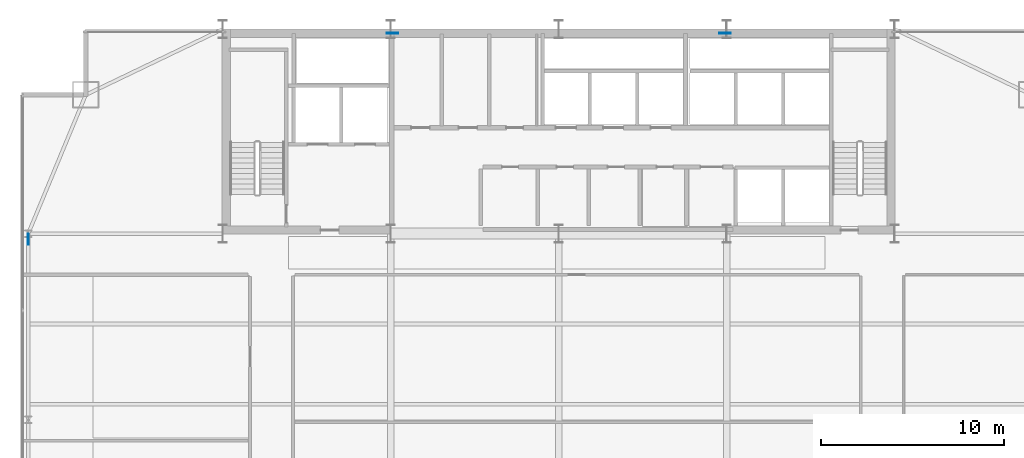
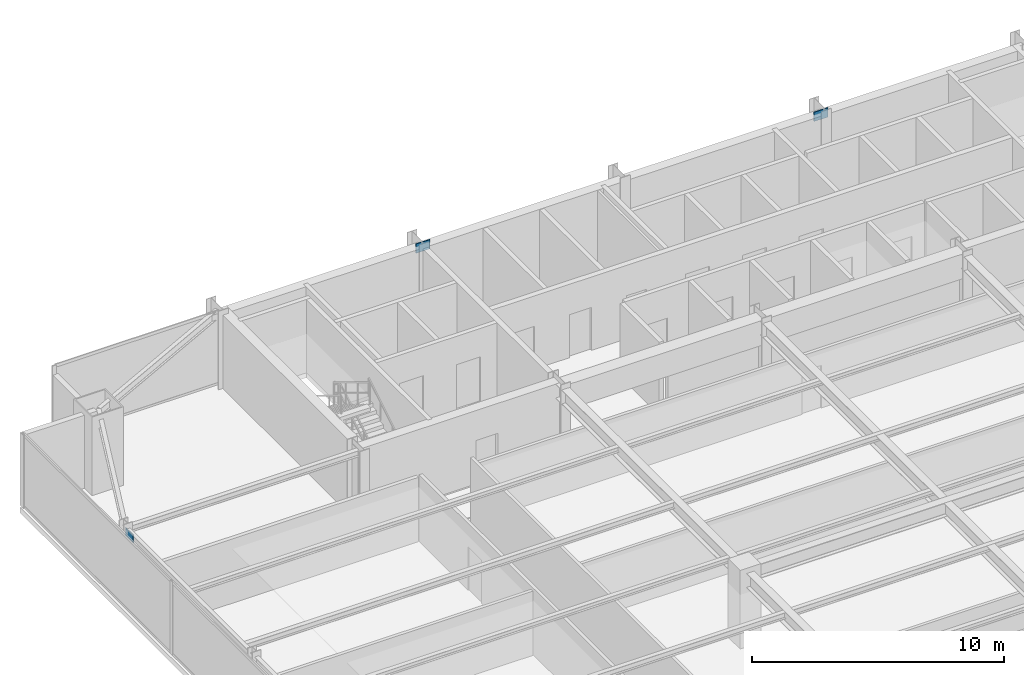
# One storey, part 30 of 36: 3 plates.
"""IFC4 building model written with IfcOpenShell, lengths in metres."""

from ifc_helpers import new_model, si_unit, direction, frame, origin, origin_2d, place, context, subcontext, project, spatial, rectangle, extrude, source, transform, mapped, material, layer, layer_set, type_object, type_shapes, element, save


model = new_model("IFC4")

# Units and contexts
model_context = context("Model", 3, precision=1e-05, world=origin(), true_north=direction((0.0, 1.0)))
body_context = subcontext(model_context, "Body", "Model", "MODEL_VIEW")
ifc_project = project(units=[si_unit("LENGTHUNIT", "METRE"), si_unit("AREAUNIT", "SQUARE_METRE"), si_unit("VOLUMEUNIT", "CUBIC_METRE"), si_unit("PLANEANGLEUNIT", "RADIAN"), si_unit("MASSUNIT", "GRAM", prefix="KILO")], contexts=[model_context])

# Site, building, storey
site_placement = place(None, origin())
site = spatial("IfcSite", under=ifc_project, at=site_placement, CompositionType="ELEMENT")
building_placement = place(site_placement, origin())
building = spatial("IfcBuilding", under=site, at=building_placement, Name="Varnel Quay Broadcast Tower", CompositionType="ELEMENT")
storey_placement = place(building_placement, frame((0.0, 0.0, 114.39990234375)))
storey = spatial("IfcBuildingStorey", under=building, at=storey_placement, Name="L27", CompositionType="ELEMENT", Elevation=114.39990234375)

# Plates
ifc_material = material(Name="Structural Steel CSA G40.21 350WT", Category="steel")
ifc_layer_1 = layer(ifc_material, 0.0400390625, Name="Structural Steel CSA G40.21 350WT")
ifc_layer_set_1 = layer_set([ifc_layer_1], Name="Structural Steel CSA G40.21 350WT")
plate_type_1 = type_object("IfcPlateType", Name="Plate_EmbedPlate", PredefinedType="USERDEFINED", material=ifc_layer_set_1)
shared_shape_1 = source(origin(), body_context, "Body", "SweptSolid", [
    extrude(rectangle(XDim=0.639892578125, YDim=0.0400390625, at=origin_2d()), origin(), (0.0, 0.0, 1.0), 0.449951171875),
])
type_shapes(plate_type_1, [shared_shape_1])
for number, where, z_axis, x_axis, name in (
    (1, (43.106689453125, 46.580078125, 3.2294921875), (0.0, 0.0, 1.0), (1.0, 0.0, 0.0), "Zone 2 Mega-Brace N-CT2 Diag A Wall Cast-In Embed Plate P1"),
    (2, (24.893310546875, 46.580078125, 3.2294921875), (0.0, 0.0, 1.0), (1.0, 0.0, 0.0), "Zone 2 Mega-Brace N-CT2 Diag B2 Wall Cast-In Embed Plate P1"),
):
    element("IfcPlate", number, at=place(storey_placement, frame(where, z_axis=z_axis, x_axis=x_axis)), inside=storey, type_object=plate_type_1, Name=name, ObjectType="EMBED_PLATE", PredefinedType="USERDEFINED", context=body_context, shape_type="MappedRepresentation", body=[
        mapped(shared_shape_1, transform((0.0, 0.0, 0.0), x_axis=(1.0, 0.0, 0.0), y_axis=(0.0, 1.0, 0.0), z_axis=(0.0, 0.0, 1.0), scale=1.0)),
    ])
ifc_layer_2 = layer(ifc_material, 0.031982421875, Name="Structural Steel CSA G40.21 350WT")
ifc_layer_set_2 = layer_set([ifc_layer_2], Name="Structural Steel CSA G40.21 350WT")
plate_type_2 = type_object("IfcPlateType", Name="Plate_EndCap", PredefinedType="USERDEFINED", material=ifc_layer_set_2)
shared_shape_2 = source(origin(), body_context, "Body", "SweptSolid", [
    extrude(rectangle(XDim=0.6201171875, YDim=0.031982421875, at=origin_2d()), origin(), (0.0, 0.0, 1.0), 0.3798828125),
])
type_shapes(plate_type_2, [shared_shape_2])
plate_placement = place(storey_placement, frame((4.949951171875, 35.292236328125, 3.117431640625), z_axis=(0.0, 0.0, 1.0), x_axis=(0.0, 1.0, 0.0)))
element("IfcPlate", 3, at=plate_placement, inside=storey, type_object=plate_type_2, Name="Zone 2 Mega-Brace W-FT2 Diag A End Connection Plate P1", ObjectType="CAP_PLATE", PredefinedType="USERDEFINED", context=body_context, shape_type="MappedRepresentation", body=[
    mapped(shared_shape_2, transform((0.0, 0.0, 0.0), x_axis=(1.0, 0.0, 0.0), y_axis=(0.0, 1.0, 0.0), z_axis=(0.0, 0.0, 1.0), scale=1.0)),
])

save(model, "model.ifc")
